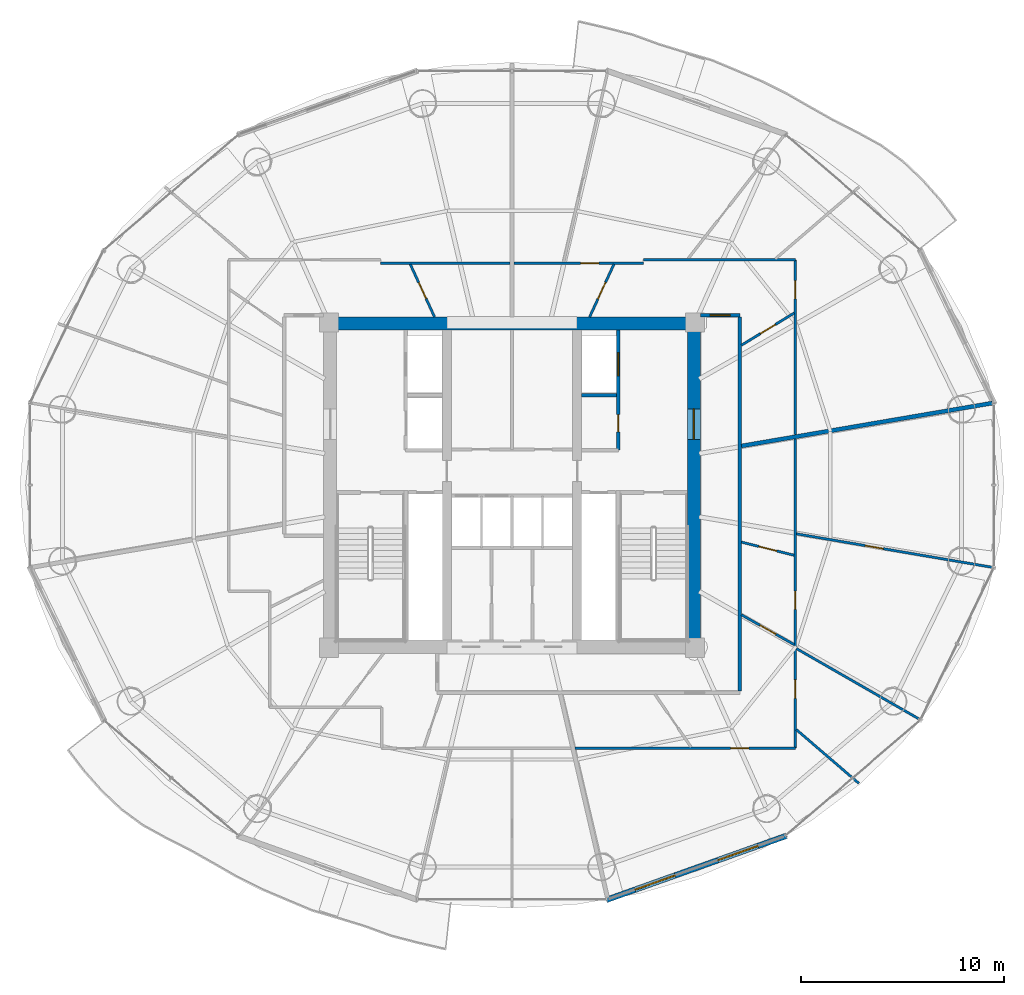
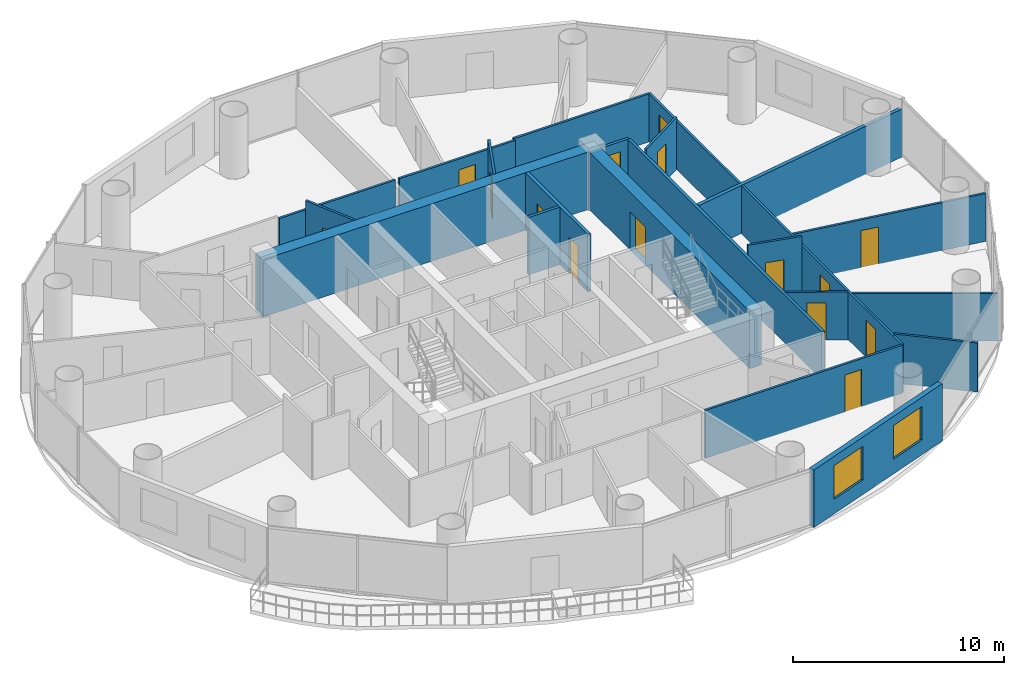
# One storey, part 22 of 26: 22 walls, 15 doors, 2 windows, 17 openings.
"""IFC4 building model written with IfcOpenShell, lengths in metres."""

import ifcopenshell
import ifcopenshell.guid

model = None  # the IFC model being written
_history = None  # IfcOwnerHistory: only IFC2X3 demands one
_inside = {}  # id of a spatial element -> (the spatial element, [elements in it])
_under = {}  # id of a project, library or spatial element -> (it, [spatial elements below it])
_declared = {}  # id of a project -> (the project, [libraries it declares])
_typed = {}  # id of a type object -> (the type object, [elements of that type])
_made_of = {}  # id of a material, layer set ... -> (it, [elements and type objects made of it])


def new_model(schema):
    """Start an empty IFC model of exactly this schema.

    Asked for "IFC4X3", IfcOpenShell would pick the latest addendum, in which some entities
    have other attributes; the version numbers below select the first issue.
    IFC2X3 requires an IfcOwnerHistory on every rooted entity: one is made here for all.
    """
    global model, _history
    if schema == "IFC4X3":
        model = ifcopenshell.file(schema_version=(4, 3, 0, 0))
    else:
        model = ifcopenshell.file(schema=schema)
    _inside.clear()
    _under.clear()
    _declared.clear()
    _typed.clear()
    _made_of.clear()
    _history = None
    if model.schema == "IFC2X3":
        org = make("IfcOrganization", Name="unknown")
        user = make(
            "IfcPersonAndOrganization",
            ThePerson=make("IfcPerson", FamilyName="unknown"),
            TheOrganization=org,
        )
        app = make(
            "IfcApplication",
            ApplicationDeveloper=org,
            Version="unknown",
            ApplicationFullName="unknown",
            ApplicationIdentifier="unknown",
        )
        _history = make(
            "IfcOwnerHistory",
            OwningUser=user,
            OwningApplication=app,
            ChangeAction="ADDED",
            CreationDate=0,
        )
    return model


def make(cls, **values):
    """One entity of the class cls with the attributes given. An attribute that is None is left unset."""
    return model.create_entity(
        cls, **{name: value for name, value in values.items() if value is not None}
    )


def rooted(cls, **values):
    """An entity with a GlobalId (a new one), such as an element, a storey or a relation."""
    return make(cls, GlobalId=ifcopenshell.guid.new(), OwnerHistory=_history, **values)


def si_unit(unit_type, name, prefix=None):
    """IfcSIUnit, for example si_unit("LENGTHUNIT", "METRE", prefix="MILLI")."""
    return make("IfcSIUnit", UnitType=unit_type, Prefix=prefix, Name=name)


def assignment(units):
    """IfcUnitAssignment: the units of a project."""
    return None if units is None else make("IfcUnitAssignment", Units=units)


def point(xyz):
    """IfcCartesianPoint."""
    return None if xyz is None else make("IfcCartesianPoint", Coordinates=xyz)


def direction(xyz):
    """IfcDirection."""
    return None if xyz is None else make("IfcDirection", DirectionRatios=xyz)


def frame(location, z_axis=None, x_axis=None):
    """IfcAxis2Placement3D, a coordinate frame: its origin and axes. An axis left out is left unset."""
    return make(
        "IfcAxis2Placement3D",
        Location=point(location),
        Axis=direction(z_axis),
        RefDirection=direction(x_axis),
    )


def frame_2d(location, x_axis=None):
    """IfcAxis2Placement2D, a coordinate frame in the plane: its origin and x axis."""
    return make(
        "IfcAxis2Placement2D", Location=point(location), RefDirection=direction(x_axis)
    )


def origin():
    """The frame at (0, 0, 0) with its axes left unset."""
    return frame((0.0, 0.0, 0.0))


def place(relative_to, where):
    """IfcLocalPlacement: puts the frame where relative to a parent placement (None: the world)."""
    return make(
        "IfcLocalPlacement", PlacementRelTo=relative_to, RelativePlacement=where
    )


def context(
    kind, dimensions, precision=None, world=None, true_north=None, identifier=None
):
    """IfcGeometricRepresentationContext, for example the 3D "Model" context."""
    return make(
        "IfcGeometricRepresentationContext",
        ContextIdentifier=identifier,
        ContextType=kind,
        CoordinateSpaceDimension=dimensions,
        Precision=precision,
        WorldCoordinateSystem=world,
        TrueNorth=true_north,
    )


def subcontext(parent, identifier, kind, view, scale=None):
    """IfcGeometricRepresentationSubContext, for example "Body" below "Model"."""
    return make(
        "IfcGeometricRepresentationSubContext",
        ContextIdentifier=identifier,
        ContextType=kind,
        ParentContext=parent,
        TargetScale=scale,
        TargetView=view,
    )


def project(units=None, contexts=None):
    """IfcProject with its units and contexts."""
    return rooted(
        "IfcProject",
        Name="project",
        RepresentationContexts=contexts,
        UnitsInContext=assignment(units),
    )


def spatial(cls, under=None, at=None, **own):
    """A site, building, storey or space (cls), placed at a placement, below another one or the project."""
    s = rooted(cls, ObjectPlacement=at, **own)
    if under is not None:
        _under.setdefault(under.id(), (under, []))[1].append(s)
    return s


def profile(cls, at=None, kind="AREA", **sizes):
    """A parametric profile (cls). Its sizes go by their IFC names, for example OverallWidth=200.0."""
    return make(cls, ProfileType=kind, Position=at, **sizes)


def rectangle(**sizes):
    """IfcRectangleProfileDef."""
    return profile("IfcRectangleProfileDef", **sizes)


def extrude(swept, where, along, depth):
    """IfcExtrudedAreaSolid: the profile swept, set in the frame where, extruded along a direction by depth."""
    return make(
        "IfcExtrudedAreaSolid",
        SweptArea=swept,
        Position=where,
        ExtrudedDirection=direction(along),
        Depth=depth,
    )


def shape(context_of_items, identifier, shape_type, items):
    """IfcShapeRepresentation: the items that make up one representation, for example the "Body"."""
    return make(
        "IfcShapeRepresentation",
        ContextOfItems=context_of_items,
        RepresentationIdentifier=identifier,
        RepresentationType=shape_type,
        Items=items,
    )


def source(mapping_origin, context_of_items, identifier, shape_type, items):
    """IfcRepresentationMap: a shape defined once, which mapped items show again and again."""
    return make(
        "IfcRepresentationMap",
        MappingOrigin=mapping_origin,
        MappedRepresentation=shape(context_of_items, identifier, shape_type, items),
    )


def transform(
    local_origin,
    x_axis=None,
    y_axis=None,
    z_axis=None,
    scale=None,
    scale2=None,
    scale3=None,
    uniform=True,
):
    """IfcCartesianTransformationOperator3D, or its non-uniform kind. x_axis, y_axis, z_axis: its Axis1, 2, 3."""
    if uniform:
        return make(
            "IfcCartesianTransformationOperator3D",
            Axis1=direction(x_axis),
            Axis2=direction(y_axis),
            LocalOrigin=point(local_origin),
            Scale=scale,
            Axis3=direction(z_axis),
        )
    return make(
        "IfcCartesianTransformationOperator3DnonUniform",
        Axis1=direction(x_axis),
        Axis2=direction(y_axis),
        LocalOrigin=point(local_origin),
        Scale=scale,
        Axis3=direction(z_axis),
        Scale2=scale2,
        Scale3=scale3,
    )


def mapped(mapping_source, mapping_target):
    """IfcMappedItem: shows the shape of a source again, moved by a transform."""
    return make(
        "IfcMappedItem", MappingSource=mapping_source, MappingTarget=mapping_target
    )


def material(Name=None, Category=None):
    """IfcMaterial."""
    return make("IfcMaterial", Name=Name, Category=Category)


def layer(
    of_material, thickness, ventilated=None, Name=None, Category=None, Priority=None
):
    """IfcMaterialLayer: one layer of a wall or slab, of a material (None: an air gap)."""
    return make(
        "IfcMaterialLayer",
        Material=of_material,
        LayerThickness=thickness,
        IsVentilated=ventilated,
        Name=Name,
        Category=Category,
        Priority=Priority,
    )


def layer_set(layers, Name=None):
    """IfcMaterialLayerSet."""
    return make("IfcMaterialLayerSet", MaterialLayers=layers, LayerSetName=Name)


def made_of(thing, what):
    """Note that an element or type object is made of a material, layer set ...; save() writes the relation."""
    if what is not None:
        _made_of.setdefault(what.id(), (what, []))[1].append(thing)
    return thing


def type_object(cls, material=None, **own):
    """A type object (cls), such as IfcWallType, which elements share."""
    return made_of(rooted(cls, **own), material)


def element(
    cls,
    number,
    at=None,
    inside=None,
    cuts=None,
    type_object=None,
    material=None,
    context=None,
    identifier="Body",
    shape_type=None,
    held_by="IfcProductDefinitionShape",
    body=None,
    shapes=None,
    **own,
):
    """One element of the class cls, such as IfcWall. Its Tag is "e" and its number.

    at: its placement. inside: the storey or other place that contains it. cuts: it is an
    opening in that element (IfcRelVoidsElement). A single representation is given by context,
    identifier, shape_type and body (its items); several are given by shapes. held_by: the class
    of the entity that holds the representations. save() writes the other relations.
    """
    e = rooted(cls, Tag="e%d" % number, ObjectPlacement=at, **own)
    if body is not None:
        shapes = [shape(context, identifier, shape_type, body)]
    if shapes is not None:
        e.Representation = make(held_by, Representations=shapes)
    if inside is not None:
        _inside.setdefault(inside.id(), (inside, []))[1].append(e)
    if cuts is not None:
        rooted(
            "IfcRelVoidsElement", RelatingBuildingElement=cuts, RelatedOpeningElement=e
        )
    if type_object is not None:
        _typed.setdefault(type_object.id(), (type_object, []))[1].append(e)
    return made_of(e, material)


def fill(opening, filler):
    """IfcRelFillsElement: the door or window that sits in an opening."""
    return rooted(
        "IfcRelFillsElement",
        RelatingOpeningElement=opening,
        RelatedBuildingElement=filler,
    )


def aggregate(whole, parts):
    """IfcRelAggregates: a whole, such as a stair, and the parts it consists of."""
    return rooted("IfcRelAggregates", RelatingObject=whole, RelatedObjects=parts)


def save(model, path):
    """Write the relations noted so far, then the file.

    IfcRelAggregates (storeys below a building ...), IfcRelContainedInSpatialStructure (elements
    in a storey), IfcRelDefinesByType, IfcRelAssociatesMaterial and IfcRelDeclares: one each for
    every whole, place, type object, material and project.
    """
    for whole, parts in _under.values():
        aggregate(whole, parts)
    for where, things in _inside.values():
        rooted(
            "IfcRelContainedInSpatialStructure",
            RelatedElements=things,
            RelatingStructure=where,
        )
    for kind, things in _typed.values():
        rooted("IfcRelDefinesByType", RelatedObjects=things, RelatingType=kind)
    for what, things in _made_of.values():
        rooted("IfcRelAssociatesMaterial", RelatedObjects=things, RelatingMaterial=what)
    for by, libraries in _declared.values():
        rooted("IfcRelDeclares", RelatingContext=by, RelatedDefinitions=libraries)
    model.write(path)


model = new_model("IFC4")

# Units and contexts
model_context = context("Model", 3, precision=1e-05, world=origin(), true_north=direction((-0.2419218956, 0.970295726276)))
body_context = subcontext(model_context, "Body", "Model", "MODEL_VIEW")
ifc_project = project(units=[si_unit("LENGTHUNIT", "METRE"), si_unit("AREAUNIT", "SQUARE_METRE"), si_unit("VOLUMEUNIT", "CUBIC_METRE"), si_unit("PLANEANGLEUNIT", "RADIAN"), si_unit("MASSUNIT", "GRAM", prefix="KILO")], contexts=[model_context])

# Site, building, storey
site_placement = place(None, origin())
site = spatial("IfcSite", under=ifc_project, at=site_placement, CompositionType="ELEMENT")
building_placement = place(site_placement, origin())
building = spatial("IfcBuilding", under=site, at=building_placement, Name="Cobrevalo Terracotta Tower", CompositionType="ELEMENT")
storey_placement = place(building_placement, frame((0.0, 0.0, 139.0)))
storey = spatial("IfcBuildingStorey", under=building, at=storey_placement, Name="L36", CompositionType="ELEMENT", Elevation=139.0)

# Wall
ifc_material_1 = material(Name="Concrete C55", Category="concrete")
ifc_layer_1 = layer(ifc_material_1, 0.64990234375)
ifc_layer_set_1 = layer_set([ifc_layer_1], Name="Concrete C55")
wall_type_1 = type_object("IfcWallType", Name="Core shear wall 650 mm Concrete C55", PredefinedType="SHEAR", material=ifc_layer_set_1)
wall_1_placement = place(storey_placement, frame((28.72509765625, 34.75, 0.0), z_axis=(0.0, 0.0, 1.0), x_axis=(1.0, 0.0, 0.0)))
element("IfcWall", 1, at=wall_1_placement, inside=storey, type_object=wall_type_1, Name="L36 north core shear wall", PredefinedType="SHEAR", context=body_context, shape_type="SweptSolid", body=[
    extrude(rectangle(XDim=18.5498046875, YDim=0.64990234375, at=frame_2d((9.27490234375, 0.0))), origin(), (0.0, 0.0, 1.0), 3.330078125),
])

# Wall, opening, door
wall_2_placement = place(storey_placement, frame((46.949951171875, 19.175048828125, 0.0), z_axis=(0.0, 0.0, 1.0), x_axis=(0.0, 1.0, 0.0)))
wall_2 = element("IfcWall", 2, at=wall_2_placement, inside=storey, type_object=wall_type_1, Name="L36 east core shear wall", PredefinedType="SHEAR", context=body_context, shape_type="SweptSolid", body=[
    extrude(rectangle(XDim=15.25, YDim=0.64990234375, at=frame_2d((7.625, 0.0))), origin(), (0.0, 0.0, 1.0), 3.330078125),
])
opening_1_placement = place(wall_2_placement, frame((9.875, 0.0, 0.0)))
opening_1 = element("IfcOpeningElement", 3, at=opening_1_placement, cuts=wall_2, Name="Opening ID-14", PredefinedType="OPENING", context=body_context, shape_type="SweptSolid", body=[
    extrude(rectangle(XDim=1.5, YDim=2.199951171875, at=frame_2d((0.75, 1.10009765625))), frame((0.0, 0.3349609375, 0.0), z_axis=(0.0, -1.0, 0.0), x_axis=(1.0, 0.0, 0.0)), (0.0, 0.0, 1.0), 0.669921875),
])
ifc_material_2 = material(Name="Galvanized fire-rated steel", Category="steel")
door_type_1 = type_object("IfcDoorType", Name="Core cross-lobby double fire door 1500x2200 EI 90", OperationType="NOTDEFINED", PredefinedType="DOOR", material=ifc_material_2)
shared_shape_1 = source(origin(), body_context, "Body", "SweptSolid", [
    extrude(rectangle(XDim=1.5, YDim=2.199951171875, at=frame_2d((0.75, 1.10009765625))), frame((0.0, 0.02490234375, 0.0), z_axis=(0.0, -1.0, 0.0), x_axis=(1.0, 0.0, 0.0)), (0.0, 0.0, 1.0), 0.050048828125),
])
door_1_placement = place(opening_1_placement, frame((1.5, 0.0, 0.0), z_axis=(0.0, 0.0, 1.0), x_axis=(-1.0, 0.0, 0.0)))
door_1 = element("IfcDoor", 4, at=door_1_placement, inside=storey, type_object=door_type_1, Name="L36 east firefighting lobby entrance door", OperationType="DOUBLE_DOOR_SINGLE_SWING", OverallHeight=2.199951171875, OverallWidth=1.5, PredefinedType="DOOR", context=body_context, shape_type="MappedRepresentation", body=[
    mapped(shared_shape_1, transform((0.0, 0.0, 0.0), scale=1.0)),
])
fill(opening_1, door_1)

# Walls
ifc_material_3 = material(Name="Gypsum board on steel stud", Category="steel")
ifc_layer_2 = layer(ifc_material_3, 0.159912109375)
ifc_layer_set_2 = layer_set([ifc_layer_2], Name="Gypsum board on steel stud")
wall_type_2 = type_object("IfcWallType", Name="Fire-rated corridor acoustic partition wall 160 mm", PredefinedType="PARTITIONING", material=ifc_layer_set_2)
wall_3_placement = place(storey_placement, frame((41.425048828125, 31.219970703125, 0.0), z_axis=(0.0, 0.0, 1.0), x_axis=(1.0, 0.0, 0.0)))
element("IfcWall", 5, at=wall_3_placement, inside=storey, type_object=wall_type_2, Name="L36 interior partition IW-L36-FF2-M", PredefinedType="PARTITIONING", context=body_context, shape_type="SweptSolid", body=[
    extrude(rectangle(XDim=1.71484375, YDim=0.159912109375, at=frame_2d((0.857421875, 0.0))), origin(), (0.0, 0.0, 1.0), 3.330078125),
])
wall_4_placement = place(storey_placement, frame((49.205078125, 16.675048828125, 0.0), z_axis=(0.0, 0.0, 1.0), x_axis=(0.0, 1.0, 0.0)))
element("IfcWall", 6, at=wall_4_placement, inside=storey, type_object=wall_type_2, Name="L36 interior partition IW-L36-COR-E", PredefinedType="PARTITIONING", context=body_context, shape_type="SweptSolid", body=[
    extrude(rectangle(XDim=18.39990234375, YDim=0.159912109375, at=frame_2d((9.199951171875, 0.0))), origin(), (0.0, 0.0, 1.0), 2.77587890625),
])

# Wall, opening, door
wall_5_placement = place(storey_placement, frame((47.27490234375, 35.155029296875, 0.0), z_axis=(0.0, 0.0, 1.0), x_axis=(1.0, 0.0, 0.0)))
wall_5 = element("IfcWall", 7, at=wall_5_placement, inside=storey, type_object=wall_type_2, Name="L36 interior partition IW-L36-COR-EN-CAP", PredefinedType="PARTITIONING", context=body_context, shape_type="SweptSolid", body=[
    extrude(rectangle(XDim=1.93017578125, YDim=0.159912109375, at=frame_2d((0.965087890625, 0.0))), origin(), (0.0, 0.0, 1.0), 2.77587890625),
])
opening_2_placement = place(wall_5_placement, frame((0.47509765625, 0.0, 0.0)))
opening_2 = element("IfcOpeningElement", 8, at=opening_2_placement, cuts=wall_5, Name="Opening ID-05", PredefinedType="OPENING", context=body_context, shape_type="SweptSolid", body=[
    extrude(rectangle(XDim=0.97998046875, YDim=2.199951171875, at=frame_2d((0.489990234375, 1.10009765625))), frame((0.0, 0.08984375, 0.0), z_axis=(0.0, -1.0, 0.0), x_axis=(1.0, 0.0, 0.0)), (0.0, 0.0, 1.0), 0.179931640625),
])
ifc_material_4 = material(Name="Solid hardwood timber", Category="wood")
door_type_2 = type_object("IfcDoorType", Name="Residence entrance fire-rated acoustic timber door 980x2200 EI 60", OperationType="NOTDEFINED", PredefinedType="DOOR", material=ifc_material_4)
shared_shape_2 = source(origin(), body_context, "Body", "SweptSolid", [
    extrude(rectangle(XDim=0.97998046875, YDim=2.199951171875, at=frame_2d((0.489990234375, 1.10009765625))), frame((0.0, 0.02490234375, 0.0), z_axis=(0.0, -1.0, 0.0), x_axis=(1.0, 0.0, 0.0)), (0.0, 0.0, 1.0), 0.050048828125),
])
door_2_placement = place(opening_2_placement, origin())
door_2 = element("IfcDoor", 9, at=door_2_placement, inside=storey, type_object=door_type_2, Name="Flat L36A fire-rated apartment entrance door", OperationType="SINGLE_SWING_RIGHT", OverallHeight=2.199951171875, OverallWidth=0.97998046875, PredefinedType="DOOR", context=body_context, shape_type="MappedRepresentation", body=[
    mapped(shared_shape_2, transform((0.0, 0.0, 0.0), scale=1.0)),
])
fill(opening_2, door_2)

# Wall, openings, doors
ifc_layer_3 = layer(ifc_material_3, 0.179931640625)
ifc_layer_set_3 = layer_set([ifc_layer_3], Name="Gypsum board on steel stud")
wall_type_3 = type_object("IfcWallType", Name="Fire-rated shaft & lobby acoustic partition wall 180 mm", PredefinedType="PARTITIONING", material=ifc_layer_set_3)
wall_6_placement = place(storey_placement, frame((43.22998046875, 28.52001953125, 0.0), z_axis=(0.0, 0.0, 1.0), x_axis=(0.0, 1.0, 0.0)))
wall_6 = element("IfcWall", 10, at=wall_6_placement, inside=storey, type_object=wall_type_3, Name="L36 interior partition IW-L36-FF2-E", PredefinedType="PARTITIONING", context=body_context, shape_type="SweptSolid", body=[
    extrude(rectangle(XDim=5.905029296875, YDim=0.179931640625, at=frame_2d((2.95263671875, 0.0))), origin(), (0.0, 0.0, 1.0), 3.330078125),
])
opening_3_placement = place(wall_6_placement, frame((0.905029296875, 0.0, 0.0)))
opening_3 = element("IfcOpeningElement", 11, at=opening_3_placement, cuts=wall_6, Name="Opening ID-22", PredefinedType="OPENING", context=body_context, shape_type="SweptSolid", body=[
    extrude(rectangle(XDim=0.85009765625, YDim=2.10009765625, at=frame_2d((0.425048828125, 1.050048828125))), frame((0.0, 0.10009765625, 0.0), z_axis=(0.0, -1.0, 0.0), x_axis=(1.0, 0.0, 0.0)), (0.0, 0.0, 1.0), 0.199951171875),
])
opening_4_placement = place(wall_6_placement, frame((3.655029296875, 0.0, 0.0)))
opening_4 = element("IfcOpeningElement", 12, at=opening_4_placement, cuts=wall_6, Name="Opening LD-02", PredefinedType="OPENING", context=body_context, shape_type="SweptSolid", body=[
    extrude(rectangle(XDim=1.14990234375, YDim=2.199951171875, at=frame_2d((0.574951171875, 1.10009765625))), frame((0.0, 0.10009765625, 0.0), z_axis=(0.0, -1.0, 0.0), x_axis=(1.0, 0.0, 0.0)), (0.0, 0.0, 1.0), 0.199951171875),
])
ifc_material_5 = material(Name="Powder-coated steel", Category="steel")
door_type_3 = type_object("IfcDoorType", Name="Riser shaft & meter closet fire access door 850x2100 EI 60", OperationType="NOTDEFINED", PredefinedType="DOOR", material=ifc_material_5)
shared_shape_3 = source(origin(), body_context, "Body", "SweptSolid", [
    extrude(rectangle(XDim=0.85009765625, YDim=2.10009765625, at=frame_2d((0.425048828125, 1.050048828125))), frame((0.0, 0.02490234375, 0.0), z_axis=(0.0, -1.0, 0.0), x_axis=(1.0, 0.0, 0.0)), (0.0, 0.0, 1.0), 0.050048828125),
])
door_3_placement = place(opening_3_placement, frame((0.85009765625, 0.0, 0.0), z_axis=(0.0, 0.0, 1.0), x_axis=(-1.0, 0.0, 0.0)))
door_3 = element("IfcDoor", 13, at=door_3_placement, inside=storey, type_object=door_type_3, Name="L36 housekeeping store door", OperationType="SINGLE_SWING_RIGHT", OverallHeight=2.10009765625, OverallWidth=0.85009765625, PredefinedType="DOOR", context=body_context, shape_type="MappedRepresentation", body=[
    mapped(shared_shape_3, transform((0.0, 0.0, 0.0), scale=1.0)),
])
fill(opening_3, door_3)
ifc_material_6 = material(Name="Brushed stainless steel", Category="steel")
door_type_4 = type_object("IfcDoorType", Name="Firefighting lift landing bi-parting sliding door 1150x2200 EI 120", OperationType="DOUBLE_DOOR_SLIDING", PredefinedType="DOOR", material=ifc_material_6)
shared_shape_4 = source(origin(), body_context, "Body", "SweptSolid", [
    extrude(rectangle(XDim=1.14990234375, YDim=2.199951171875, at=frame_2d((0.574951171875, 1.10009765625))), frame((0.0, 0.02490234375, 0.0), z_axis=(0.0, -1.0, 0.0), x_axis=(1.0, 0.0, 0.0)), (0.0, 0.0, 1.0), 0.050048828125),
])
door_4_placement = place(opening_4_placement, origin())
door_4 = element("IfcDoor", 14, at=door_4_placement, inside=storey, type_object=door_type_4, Name="L36 lift landing door FF-2", OperationType="DOUBLE_DOOR_SLIDING", OverallHeight=2.199951171875, OverallWidth=1.14990234375, PredefinedType="DOOR", context=body_context, shape_type="MappedRepresentation", body=[
    mapped(shared_shape_4, transform((0.0, 0.0, 0.0), scale=1.0)),
])
fill(opening_4, door_4)

# Wall
ifc_material_7 = material(Name="Autoclaved aerated concrete block", Category="concrete")
ifc_layer_4 = layer(ifc_material_7, 0.199951171875)
ifc_layer_set_4 = layer_set([ifc_layer_4], Name="Autoclaved aerated concrete block")
wall_type_4 = type_object("IfcWallType", Name="Fire-rated stair, shaft & demising masonry wall 200 mm", PredefinedType="PARTITIONING", material=ifc_layer_set_4)
wall_7_placement = place(storey_placement, frame((49.286865234375, 28.729736328125, 0.0), z_axis=(0.0, 0.0, 1.0), x_axis=(0.985698993845, 0.168515558725, 0.0)))
element("IfcWall", 15, at=wall_7_placement, inside=storey, type_object=wall_type_4, Name="L36 interior partition IW-L36-DEM-1", PredefinedType="PARTITIONING", context=body_context, shape_type="SweptSolid", body=[
    extrude(rectangle(XDim=12.517333984375, YDim=0.199951171875, at=frame_2d((6.2587890625, 0.0))), origin(), (0.0, 0.0, 1.0), 2.77587890625),
])

# Wall, openings, windows
ifc_layer_5 = layer(ifc_material_7, 0.280029296875)
ifc_layer_set_5 = layer_set([ifc_layer_5], Name="Autoclaved aerated concrete block")
wall_type_5 = type_object("IfcWallType", Name="Insulated tower spandrel & pier wall 280 mm with terracotta rainscreen", PredefinedType="SOLIDWALL", material=ifc_layer_set_5)
wall_8_placement = place(storey_placement, frame((42.639892578125, 6.40234375, 0.0), z_axis=(0.0, 0.0, 1.0), x_axis=(0.942103604331, 0.335321932934, 0.0)))
wall_8 = element("IfcWall", 16, at=wall_8_placement, inside=storey, type_object=wall_type_5, Name="L36 terracotta rainscreen pier wall S13", PredefinedType="SOLIDWALL", context=body_context, shape_type="SweptSolid", body=[
    extrude(rectangle(XDim=9.408203125, YDim=0.280029296875, at=frame_2d((4.7041015625, 0.0))), origin(), (0.0, 0.0, 1.0), 3.330078125),
])
opening_5_placement = place(wall_8_placement, frame((1.490234375, 0.0, 0.85009765625)))
opening_5 = element("IfcOpeningElement", 17, at=opening_5_placement, cuts=wall_8, Name="Opening WN-10", PredefinedType="OPENING", context=body_context, shape_type="SweptSolid", body=[
    extrude(rectangle(XDim=2.10009765625, YDim=1.949951171875, at=frame_2d((1.050048828125, 0.97509765625))), frame((0.0, 0.14990234375, 0.0), z_axis=(0.0, -1.0, 0.0), x_axis=(1.0, 0.0, 0.0)), (0.0, 0.0, 1.0), 0.300048828125),
])
opening_6_placement = place(wall_8_placement, frame((5.818115234375, 0.0, 0.85009765625)))
opening_6 = element("IfcOpeningElement", 18, at=opening_6_placement, cuts=wall_8, Name="Opening WN-10", PredefinedType="OPENING", context=body_context, shape_type="SweptSolid", body=[
    extrude(rectangle(XDim=2.10009765625, YDim=1.949951171875, at=frame_2d((1.050048828125, 0.97509765625))), frame((0.0, 0.14990234375, 0.0), z_axis=(0.0, -1.0, 0.0), x_axis=(1.0, 0.0, 0.0)), (0.0, 0.0, 1.0), 0.300048828125),
])
ifc_material_8 = material(Name="Solar-control low-E double glazing", Category="glass")
window_type = type_object("IfcWindowType", Name="Wide panoramic low-E aluminium window 2100x1950", PartitioningType="SINGLE_PANEL", PredefinedType="WINDOW", material=ifc_material_8)
shared_shape_5 = source(origin(), body_context, "Body", "SweptSolid", [
    extrude(rectangle(XDim=2.10009765625, YDim=1.949951171875, at=frame_2d((1.050048828125, 0.97509765625))), frame((0.0, 0.030029296875, 0.0), z_axis=(0.0, -1.0, 0.0), x_axis=(1.0, 0.0, 0.0)), (0.0, 0.0, 1.0), 0.06005859375),
])
window_1_placement = place(opening_5_placement, origin())
window_1 = element("IfcWindow", 19, at=window_1_placement, inside=storey, type_object=window_type, Name="L36 suite window S13A", OverallHeight=1.949951171875, OverallWidth=2.10009765625, PartitioningType="SINGLE_PANEL", PredefinedType="WINDOW", context=body_context, shape_type="MappedRepresentation", body=[
    mapped(shared_shape_5, transform((0.0, 0.0, 0.0), scale=1.0)),
])
fill(opening_5, window_1)
window_2_placement = place(opening_6_placement, origin())
window_2 = element("IfcWindow", 20, at=window_2_placement, inside=storey, type_object=window_type, Name="L36 suite window S13B", OverallHeight=1.949951171875, OverallWidth=2.10009765625, PartitioningType="SINGLE_PANEL", PredefinedType="WINDOW", context=body_context, shape_type="MappedRepresentation", body=[
    mapped(shared_shape_5, transform((0.0, 0.0, 0.0), scale=1.0)),
])
fill(opening_6, window_2)

# Wall, opening, door
ifc_layer_6 = layer(ifc_material_3, 0.1201171875)
ifc_layer_set_6 = layer_set([ifc_layer_6], Name="Gypsum board on steel stud")
wall_type_6 = type_object("IfcWallType", Name="Residential internal acoustic stud partition 120 mm", PredefinedType="PARTITIONING", material=ifc_layer_set_6)
wall_9_placement = place(storey_placement, frame((38.10205078125, 37.72509765625, 0.0), z_axis=(0.0, 0.0, 1.0), x_axis=(1.0, 0.0, 0.0)))
wall_9 = element("IfcWall", 21, at=wall_9_placement, inside=storey, type_object=wall_type_6, Name="L36 interior partition IW-L36-U1-RING0_0", PredefinedType="PARTITIONING", context=body_context, shape_type="SweptSolid", body=[
    extrude(rectangle(XDim=6.363037109375, YDim=0.1201171875, at=frame_2d((3.181640625, 0.0))), origin(), (0.0, 0.0, 1.0), 2.77587890625),
])
opening_7_placement = place(wall_9_placement, frame((3.272216796875, 0.0, 0.0)))
opening_7 = element("IfcOpeningElement", 22, at=opening_7_placement, cuts=wall_9, Name="Opening ID-12", PredefinedType="OPENING", context=body_context, shape_type="SweptSolid", body=[
    extrude(rectangle(XDim=0.89990234375, YDim=2.14990234375, at=frame_2d((0.449951171875, 1.074951171875))), frame((0.0, 0.070068359375, 0.0), z_axis=(0.0, -1.0, 0.0), x_axis=(1.0, 0.0, 0.0)), (0.0, 0.0, 1.0), 0.14013671875),
])
ifc_material_9 = material(Name="Engineered timber", Category="wood")
door_type_5 = type_object("IfcDoorType", Name="Internal residence & suite timber door 900x2150", OperationType="NOTDEFINED", PredefinedType="DOOR", material=ifc_material_9)
shared_shape_6 = source(origin(), body_context, "Body", "SweptSolid", [
    extrude(rectangle(XDim=0.89990234375, YDim=2.14990234375, at=frame_2d((0.449951171875, 1.074951171875))), frame((0.0, 0.02490234375, 0.0), z_axis=(0.0, -1.0, 0.0), x_axis=(1.0, 0.0, 0.0)), (0.0, 0.0, 1.0), 0.050048828125),
])
door_5_placement = place(opening_7_placement, origin())
door_5 = element("IfcDoor", 23, at=door_5_placement, inside=storey, type_object=door_type_5, Name="Flat L36A Penthouse Family Lounge internal door", OperationType="SINGLE_SWING_RIGHT", OverallHeight=2.14990234375, OverallWidth=0.89990234375, PredefinedType="DOOR", context=body_context, shape_type="MappedRepresentation", body=[
    mapped(shared_shape_6, transform((0.0, 0.0, 0.0), scale=1.0)),
])
fill(opening_7, door_5)

# Wall
wall_10_placement = place(storey_placement, frame((44.465087890625, 37.885009765625, 0.0), z_axis=(0.0, 0.0, 1.0), x_axis=(1.0, 0.0, 0.0)))
element("IfcWall", 24, at=wall_10_placement, inside=storey, type_object=wall_type_6, Name="L36 interior partition IW-L36-U1-RING2_0", PredefinedType="PARTITIONING", context=body_context, shape_type="SweptSolid", body=[
    extrude(rectangle(XDim=7.469970703125, YDim=0.1201171875, at=frame_2d((3.73486328125, 0.0))), origin(), (0.0, 0.0, 1.0), 2.77587890625),
])

# Wall, opening, door
wall_11_placement = place(storey_placement, frame((51.93505859375, 37.885009765625, 0.0), z_axis=(0.0, 0.0, 1.0), x_axis=(0.0, -1.0, 0.0)))
wall_11 = element("IfcWall", 25, at=wall_11_placement, inside=storey, type_object=wall_type_6, Name="L36 interior partition IW-L36-U1-RING3_0", PredefinedType="PARTITIONING", context=body_context, shape_type="SweptSolid", body=[
    extrude(rectangle(XDim=8.6005859375, YDim=0.1201171875, at=frame_2d((4.30029296875, 0.0))), origin(), (0.0, 0.0, 1.0), 2.77587890625),
])
opening_8_placement = place(wall_11_placement, frame((1.021240234375, 0.0, 0.0)))
opening_8 = element("IfcOpeningElement", 26, at=opening_8_placement, cuts=wall_11, Name="Opening ID-12", PredefinedType="OPENING", context=body_context, shape_type="SweptSolid", body=[
    extrude(rectangle(XDim=0.89990234375, YDim=2.14990234375, at=frame_2d((0.449951171875, 1.074951171875))), frame((0.0, 0.070068359375, 0.0), z_axis=(0.0, -1.0, 0.0), x_axis=(1.0, 0.0, 0.0)), (0.0, 0.0, 1.0), 0.14013671875),
])
door_6_placement = place(opening_8_placement, origin())
door_6 = element("IfcDoor", 27, at=door_6_placement, inside=storey, type_object=door_type_5, Name="Flat L36A Living and Dining Room internal door", OperationType="SINGLE_SWING_RIGHT", OverallHeight=2.14990234375, OverallWidth=0.89990234375, PredefinedType="DOOR", context=body_context, shape_type="MappedRepresentation", body=[
    mapped(shared_shape_6, transform((0.0, 0.0, 0.0), scale=1.0)),
])
fill(opening_8, door_6)

wall_12_placement = place(storey_placement, frame((49.28662109375, 33.6875, 0.0), z_axis=(0.0, 0.0, 1.0), x_axis=(0.853628993111, 0.520881504874, 0.0)))
wall_12 = element("IfcWall", 28, at=wall_12_placement, inside=storey, type_object=wall_type_6, Name="L36 interior partition IW-L36-U1-IRAD1", PredefinedType="PARTITIONING", context=body_context, shape_type="SweptSolid", body=[
    extrude(rectangle(XDim=3.04052734375, YDim=0.1201171875, at=frame_2d((1.520263671875, 0.0))), origin(), (0.0, 0.0, 1.0), 3.0048828125),
])
opening_9_placement = place(wall_12_placement, frame((1.090087890625, 0.0, 0.0)))
opening_9 = element("IfcOpeningElement", 29, at=opening_9_placement, cuts=wall_12, Name="Opening ID-19", PredefinedType="OPENING", context=body_context, shape_type="SweptSolid", body=[
    extrude(rectangle(XDim=0.860107421875, YDim=2.14990234375, at=frame_2d((0.43017578125, 1.074951171875))), frame((0.0, 0.070068359375, 0.0), z_axis=(0.0, -1.0, 0.0), x_axis=(1.0, 0.0, 0.0)), (0.0, 0.0, 1.0), 0.14013671875),
])
ifc_material_10 = material(Name="Moisture-sealed timber", Category="wood")
door_type_6 = type_object("IfcDoorType", Name="Suite bathroom internal timber door 860x2150", OperationType="NOTDEFINED", PredefinedType="DOOR", material=ifc_material_10)
shared_shape_7 = source(origin(), body_context, "Body", "SweptSolid", [
    extrude(rectangle(XDim=0.860107421875, YDim=2.14990234375, at=frame_2d((0.43017578125, 1.074951171875))), frame((0.0, 0.02490234375, 0.0), z_axis=(0.0, -1.0, 0.0), x_axis=(1.0, 0.0, 0.0)), (0.0, 0.0, 1.0), 0.050048828125),
])
door_7_placement = place(opening_9_placement, frame((0.860107421875, 0.0, 0.0), z_axis=(0.0, 0.0, 1.0), x_axis=(-1.0, 0.0, 0.0)))
door_7 = element("IfcDoor", 30, at=door_7_placement, inside=storey, type_object=door_type_6, Name="Flat L36A Primary Bathroom internal door", OperationType="SINGLE_SWING_LEFT", OverallHeight=2.14990234375, OverallWidth=0.860107421875, PredefinedType="DOOR", context=body_context, shape_type="MappedRepresentation", body=[
    mapped(shared_shape_7, transform((0.0, 0.0, 0.0), scale=1.0)),
])
fill(opening_9, door_7)

wall_13_placement = place(storey_placement, frame((41.8173828125, 35.074951171875, 0.0), z_axis=(0.0, 0.0, 1.0), x_axis=(0.418890148101, 0.908036917655, 0.0)))
wall_13 = element("IfcWall", 31, at=wall_13_placement, inside=storey, type_object=wall_type_6, Name="L36 interior partition IW-L36-U1-IRAD2", PredefinedType="PARTITIONING", context=body_context, shape_type="SweptSolid", body=[
    extrude(rectangle(XDim=2.8564453125, YDim=0.1201171875, at=frame_2d((1.42822265625, 0.0))), origin(), (0.0, 0.0, 1.0), 3.330078125),
])
opening_10_placement = place(wall_13_placement, frame((0.978271484375, 0.0, 0.0)))
opening_10 = element("IfcOpeningElement", 32, at=opening_10_placement, cuts=wall_13, Name="Opening ID-12", PredefinedType="OPENING", context=body_context, shape_type="SweptSolid", body=[
    extrude(rectangle(XDim=0.89990234375, YDim=2.14990234375, at=frame_2d((0.449951171875, 1.074951171875))), frame((0.0, 0.070068359375, 0.0), z_axis=(0.0, -1.0, 0.0), x_axis=(1.0, 0.0, 0.0)), (0.0, 0.0, 1.0), 0.14013671875),
])
door_8_placement = place(opening_10_placement, origin())
door_8 = element("IfcDoor", 33, at=door_8_placement, inside=storey, type_object=door_type_5, Name="Flat L36A Kitchen internal door", OperationType="SINGLE_SWING_LEFT", OverallHeight=2.14990234375, OverallWidth=0.89990234375, PredefinedType="DOOR", context=body_context, shape_type="MappedRepresentation", body=[
    mapped(shared_shape_6, transform((0.0, 0.0, 0.0), scale=1.0)),
])
fill(opening_10, door_8)

# Wall
wall_14_placement = place(storey_placement, frame((31.534912109375, 37.72509765625, 0.0), z_axis=(0.0, 0.0, 1.0), x_axis=(1.0, 0.0, 0.0)))
element("IfcWall", 34, at=wall_14_placement, inside=storey, type_object=wall_type_6, Name="L36 interior partition IW-L36-U2-RING3_0", PredefinedType="PARTITIONING", context=body_context, shape_type="SweptSolid", body=[
    extrude(rectangle(XDim=6.363037109375, YDim=0.1201171875, at=frame_2d((3.181640625, 0.0))), origin(), (0.0, 0.0, 1.0), 2.77587890625),
])

# Wall, opening, door
wall_15_placement = place(storey_placement, frame((34.190185546875, 35.074951171875, 0.0), z_axis=(0.0, 0.0, 1.0), x_axis=(-0.418255585009, 0.908329381672, 0.0)))
wall_15 = element("IfcWall", 35, at=wall_15_placement, inside=storey, type_object=wall_type_6, Name="L36 interior partition IW-L36-U2-IRAD1", PredefinedType="PARTITIONING", context=body_context, shape_type="SweptSolid", body=[
    extrude(rectangle(XDim=2.85546875, YDim=0.1201171875, at=frame_2d((1.427734375, 0.0))), origin(), (0.0, 0.0, 1.0), 3.330078125),
])
opening_11_placement = place(wall_15_placement, frame((0.997802734375, 0.0, 0.0)))
opening_11 = element("IfcOpeningElement", 36, at=opening_11_placement, cuts=wall_15, Name="Opening ID-19", PredefinedType="OPENING", context=body_context, shape_type="SweptSolid", body=[
    extrude(rectangle(XDim=0.860107421875, YDim=2.14990234375, at=frame_2d((0.43017578125, 1.074951171875))), frame((0.0, 0.070068359375, 0.0), z_axis=(0.0, -1.0, 0.0), x_axis=(1.0, 0.0, 0.0)), (0.0, 0.0, 1.0), 0.14013671875),
])
door_9_placement = place(opening_11_placement, frame((0.860107421875, 0.0, 0.0), z_axis=(0.0, 0.0, 1.0), x_axis=(-1.0, 0.0, 0.0)))
door_9 = element("IfcDoor", 37, at=door_9_placement, inside=storey, type_object=door_type_6, Name="Flat L36B Primary Bathroom internal door", OperationType="SINGLE_SWING_RIGHT", OverallHeight=2.14990234375, OverallWidth=0.860107421875, PredefinedType="DOOR", context=body_context, shape_type="MappedRepresentation", body=[
    mapped(shared_shape_7, transform((0.0, 0.0, 0.0), scale=1.0)),
])
fill(opening_11, door_9)

# Wall, openings, doors
wall_16_placement = place(storey_placement, frame((51.93505859375, 29.080322265625, 0.0), z_axis=(0.0, 0.0, 1.0), x_axis=(0.0, -1.0, 0.0)))
wall_16 = element("IfcWall", 38, at=wall_16_placement, inside=storey, type_object=wall_type_6, Name="L36 interior partition IW-L36-U4-RING0_0", PredefinedType="PARTITIONING", context=body_context, shape_type="SweptSolid", body=[
    extrude(rectangle(XDim=15.21533203125, YDim=0.1201171875, at=frame_2d((7.607666015625, 0.0))), origin(), (0.0, 0.0, 1.0), 2.77587890625),
])
opening_12_placement = place(wall_16_placement, frame((11.85888671875, 0.0, 0.0)))
opening_12 = element("IfcOpeningElement", 39, at=opening_12_placement, cuts=wall_16, Name="Opening ID-12", PredefinedType="OPENING", context=body_context, shape_type="SweptSolid", body=[
    extrude(rectangle(XDim=0.89990234375, YDim=2.14990234375, at=frame_2d((0.449951171875, 1.074951171875))), frame((0.0, 0.070068359375, 0.0), z_axis=(0.0, -1.0, 0.0), x_axis=(1.0, 0.0, 0.0)), (0.0, 0.0, 1.0), 0.14013671875),
])
opening_13_placement = place(wall_16_placement, frame((7.490478515625, 0.0, 0.0)))
opening_13 = element("IfcOpeningElement", 40, at=opening_13_placement, cuts=wall_16, Name="Opening ID-12", PredefinedType="OPENING", context=body_context, shape_type="SweptSolid", body=[
    extrude(rectangle(XDim=0.89990234375, YDim=2.14990234375, at=frame_2d((0.449951171875, 1.074951171875))), frame((0.0, 0.070068359375, 0.0), z_axis=(0.0, -1.0, 0.0), x_axis=(1.0, 0.0, 0.0)), (0.0, 0.0, 1.0), 0.14013671875),
])
door_10_placement = place(opening_12_placement, origin())
door_10 = element("IfcDoor", 41, at=door_10_placement, inside=storey, type_object=door_type_5, Name="Flat L36D Master Bedroom internal door", OperationType="SINGLE_SWING_RIGHT", OverallHeight=2.14990234375, OverallWidth=0.89990234375, PredefinedType="DOOR", context=body_context, shape_type="MappedRepresentation", body=[
    mapped(shared_shape_6, transform((0.0, 0.0, 0.0), scale=1.0)),
])
fill(opening_12, door_10)
door_11_placement = place(opening_13_placement, origin())
door_11 = element("IfcDoor", 42, at=door_11_placement, inside=storey, type_object=door_type_5, Name="Flat L36D Principal Guest Bedroom internal door", OperationType="SINGLE_SWING_LEFT", OverallHeight=2.14990234375, OverallWidth=0.89990234375, PredefinedType="DOOR", context=body_context, shape_type="MappedRepresentation", body=[
    mapped(shared_shape_6, transform((0.0, 0.0, 0.0), scale=1.0)),
])
fill(opening_13, door_11)

# Wall, opening, door
wall_17_placement = place(storey_placement, frame((51.93505859375, 13.864990234375, 0.0), z_axis=(0.0, 0.0, 1.0), x_axis=(-1.0, 0.0, 0.0)))
wall_17 = element("IfcWall", 43, at=wall_17_placement, inside=storey, type_object=wall_type_6, Name="L36 interior partition IW-L36-U4-RING1_0", PredefinedType="PARTITIONING", context=body_context, shape_type="SweptSolid", body=[
    extrude(rectangle(XDim=10.839599609375, YDim=0.1201171875, at=frame_2d((5.419921875, 0.0))), origin(), (0.0, 0.0, 1.0), 2.77587890625),
])
opening_14_placement = place(wall_17_placement, frame((2.281005859375, 0.0, 0.0)))
opening_14 = element("IfcOpeningElement", 44, at=opening_14_placement, cuts=wall_17, Name="Opening ID-12", PredefinedType="OPENING", context=body_context, shape_type="SweptSolid", body=[
    extrude(rectangle(XDim=0.89990234375, YDim=2.14990234375, at=frame_2d((0.449951171875, 1.074951171875))), frame((0.0, 0.070068359375, 0.0), z_axis=(0.0, -1.0, 0.0), x_axis=(1.0, 0.0, 0.0)), (0.0, 0.0, 1.0), 0.14013671875),
])
door_12_placement = place(opening_14_placement, origin())
door_12 = element("IfcDoor", 45, at=door_12_placement, inside=storey, type_object=door_type_5, Name="Flat L36D Living and Dining Room internal door", OperationType="SINGLE_SWING_LEFT", OverallHeight=2.14990234375, OverallWidth=0.89990234375, PredefinedType="DOOR", context=body_context, shape_type="MappedRepresentation", body=[
    mapped(shared_shape_6, transform((0.0, 0.0, 0.0), scale=1.0)),
])
fill(opening_14, door_12)

# Walls
wall_18_placement = place(storey_placement, frame((51.98193359375, 14.782470703125, 0.0), z_axis=(0.0, 0.0, 1.0), x_axis=(0.758356837469, -0.651839632935, 0.0)))
element("IfcWall", 46, at=wall_18_placement, inside=storey, type_object=wall_type_6, Name="L36 interior partition IW-L36-U4-ORAD1", PredefinedType="PARTITIONING", context=body_context, shape_type="SweptSolid", body=[
    extrude(rectangle(XDim=4.063720703125, YDim=0.1201171875, at=frame_2d((2.03173828125, 0.0))), origin(), (0.0, 0.0, 1.0), 2.845947265625),
])
wall_19_placement = place(storey_placement, frame((51.98876953125, 18.76611328125, 0.0), z_axis=(0.0, 0.0, 1.0), x_axis=(0.86717064002, -0.498011125466, 0.0)))
element("IfcWall", 47, at=wall_19_placement, inside=storey, type_object=wall_type_6, Name="L36 interior partition IW-L36-U4-ORAD2M1", PredefinedType="PARTITIONING", context=body_context, shape_type="SweptSolid", body=[
    extrude(rectangle(XDim=6.961181640625, YDim=0.1201171875, at=frame_2d((3.48046875, 0.0))), origin(), (0.0, 0.0, 1.0), 2.77587890625),
])

# Wall, opening, door
wall_20_placement = place(storey_placement, frame((51.99609375, 24.4072265625, 0.0), z_axis=(0.0, 0.0, 1.0), x_axis=(0.985698378271, -0.168519159369, 0.0)))
wall_20 = element("IfcWall", 48, at=wall_20_placement, inside=storey, type_object=wall_type_6, Name="L36 interior partition IW-L36-U4-ORAD2", PredefinedType="PARTITIONING", context=body_context, shape_type="SweptSolid", body=[
    extrude(rectangle(XDim=9.768798828125, YDim=0.1201171875, at=frame_2d((4.88427734375, 0.0))), origin(), (0.0, 0.0, 1.0), 2.77587890625),
])
opening_15_placement = place(wall_20_placement, frame((3.427734375, 0.0, 0.0)))
opening_15 = element("IfcOpeningElement", 49, at=opening_15_placement, cuts=wall_20, Name="Opening ID-12", PredefinedType="OPENING", context=body_context, shape_type="SweptSolid", body=[
    extrude(rectangle(XDim=0.89990234375, YDim=2.14990234375, at=frame_2d((0.449951171875, 1.074951171875))), frame((0.0, 0.070068359375, 0.0), z_axis=(0.0, -1.0, 0.0), x_axis=(1.0, 0.0, 0.0)), (0.0, 0.0, 1.0), 0.14013671875),
])
door_13_placement = place(opening_15_placement, origin())
door_13 = element("IfcDoor", 50, at=door_13_placement, inside=storey, type_object=door_type_5, Name="Flat L36D Penthouse Family Lounge internal door", OperationType="SINGLE_SWING_RIGHT", OverallHeight=2.14990234375, OverallWidth=0.89990234375, PredefinedType="DOOR", context=body_context, shape_type="MappedRepresentation", body=[
    mapped(shared_shape_6, transform((0.0, 0.0, 0.0), scale=1.0)),
])
fill(opening_15, door_13)

wall_21_placement = place(storey_placement, frame((49.28662109375, 20.425537109375, 0.0), z_axis=(0.0, 0.0, 1.0), x_axis=(0.870723023576, -0.491773744942, 0.0)))
wall_21 = element("IfcWall", 51, at=wall_21_placement, inside=storey, type_object=wall_type_6, Name="L36 interior partition IW-L36-U4-IRAD2", PredefinedType="PARTITIONING", context=body_context, shape_type="SweptSolid", body=[
    extrude(rectangle(XDim=2.979736328125, YDim=0.1201171875, at=frame_2d((1.48974609375, 0.0))), origin(), (0.0, 0.0, 1.0), 2.77587890625),
])
opening_16_placement = place(wall_21_placement, frame((1.039794921875, 0.0, 0.0)))
opening_16 = element("IfcOpeningElement", 52, at=opening_16_placement, cuts=wall_21, Name="Opening ID-12", PredefinedType="OPENING", context=body_context, shape_type="SweptSolid", body=[
    extrude(rectangle(XDim=0.89990234375, YDim=2.14990234375, at=frame_2d((0.449951171875, 1.074951171875))), frame((0.0, 0.070068359375, 0.0), z_axis=(0.0, -1.0, 0.0), x_axis=(1.0, 0.0, 0.0)), (0.0, 0.0, 1.0), 0.14013671875),
])
door_14_placement = place(opening_16_placement, origin())
door_14 = element("IfcDoor", 53, at=door_14_placement, inside=storey, type_object=door_type_5, Name="Flat L36D Kitchen internal door", OperationType="SINGLE_SWING_RIGHT", OverallHeight=2.14990234375, OverallWidth=0.89990234375, PredefinedType="DOOR", context=body_context, shape_type="MappedRepresentation", body=[
    mapped(shared_shape_6, transform((0.0, 0.0, 0.0), scale=1.0)),
])
fill(opening_16, door_14)

wall_22_placement = place(storey_placement, frame((49.286865234375, 23.999267578125, 0.0), z_axis=(0.0, 0.0, 1.0), x_axis=(0.970571855633, -0.240811696256, 0.0)))
wall_22 = element("IfcWall", 54, at=wall_22_placement, inside=storey, type_object=wall_type_6, Name="L36 interior partition IW-L36-U4-IRAD3", PredefinedType="PARTITIONING", context=body_context, shape_type="SweptSolid", body=[
    extrude(rectangle(XDim=2.666259765625, YDim=0.1201171875, at=frame_2d((1.3330078125, 0.0))), origin(), (0.0, 0.0, 1.0), 3.330078125),
])
opening_17_placement = place(wall_22_placement, frame((0.88330078125, 0.0, 0.0)))
opening_17 = element("IfcOpeningElement", 55, at=opening_17_placement, cuts=wall_22, Name="Opening ID-12", PredefinedType="OPENING", context=body_context, shape_type="SweptSolid", body=[
    extrude(rectangle(XDim=0.89990234375, YDim=2.14990234375, at=frame_2d((0.449951171875, 1.074951171875))), frame((0.0, 0.070068359375, 0.0), z_axis=(0.0, -1.0, 0.0), x_axis=(1.0, 0.0, 0.0)), (0.0, 0.0, 1.0), 0.14013671875),
])
door_15_placement = place(opening_17_placement, origin())
door_15 = element("IfcDoor", 56, at=door_15_placement, inside=storey, type_object=door_type_5, Name="Flat L36D Private Library Meeting Room internal door", OperationType="SINGLE_SWING_LEFT", OverallHeight=2.14990234375, OverallWidth=0.89990234375, PredefinedType="DOOR", context=body_context, shape_type="MappedRepresentation", body=[
    mapped(shared_shape_6, transform((0.0, 0.0, 0.0), scale=1.0)),
])
fill(opening_17, door_15)

save(model, "model.ifc")
